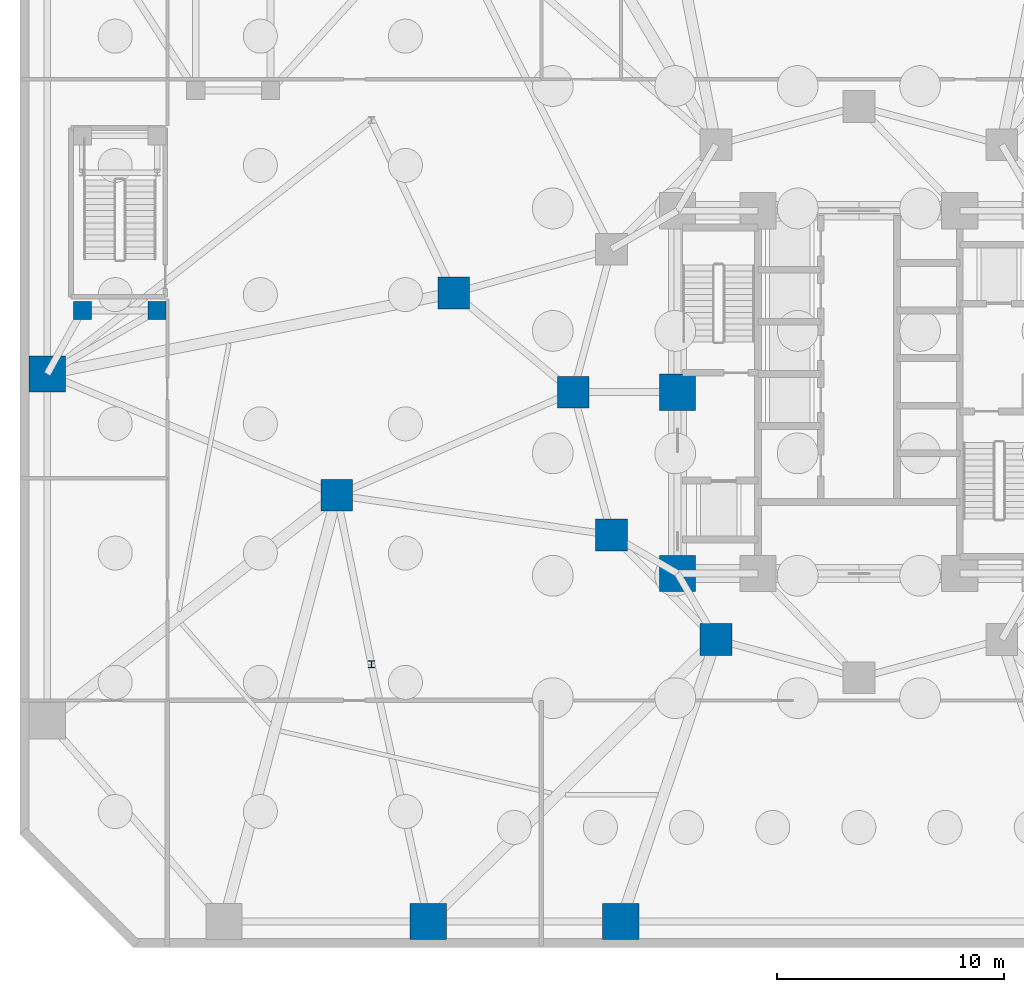
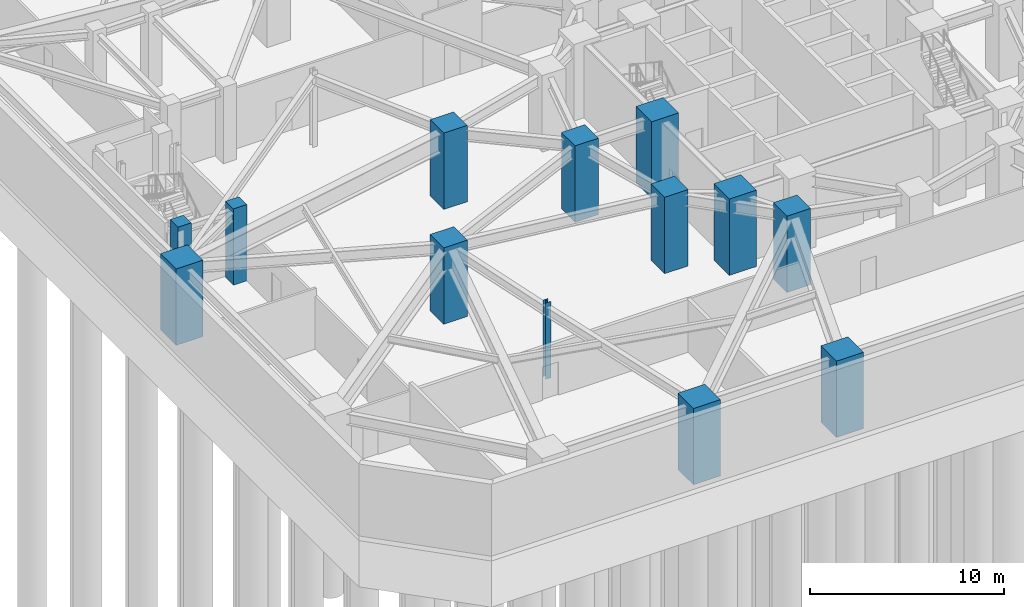
# One storey, part 2 of 20: 13 columns.
"""IFC4 building model written with IfcOpenShell, lengths in metres."""

import ifcopenshell
import ifcopenshell.guid

model = None  # the IFC model being written
_history = None  # IfcOwnerHistory: only IFC2X3 demands one
_inside = {}  # id of a spatial element -> (the spatial element, [elements in it])
_under = {}  # id of a project, library or spatial element -> (it, [spatial elements below it])
_declared = {}  # id of a project -> (the project, [libraries it declares])
_typed = {}  # id of a type object -> (the type object, [elements of that type])
_made_of = {}  # id of a material, layer set ... -> (it, [elements and type objects made of it])


def new_model(schema):
    """Start an empty IFC model of exactly this schema.

    Asked for "IFC4X3", IfcOpenShell would pick the latest addendum, in which some entities
    have other attributes; the version numbers below select the first issue.
    IFC2X3 requires an IfcOwnerHistory on every rooted entity: one is made here for all.
    """
    global model, _history
    if schema == "IFC4X3":
        model = ifcopenshell.file(schema_version=(4, 3, 0, 0))
    else:
        model = ifcopenshell.file(schema=schema)
    _inside.clear()
    _under.clear()
    _declared.clear()
    _typed.clear()
    _made_of.clear()
    _history = None
    if model.schema == "IFC2X3":
        org = make("IfcOrganization", Name="unknown")
        user = make(
            "IfcPersonAndOrganization",
            ThePerson=make("IfcPerson", FamilyName="unknown"),
            TheOrganization=org,
        )
        app = make(
            "IfcApplication",
            ApplicationDeveloper=org,
            Version="unknown",
            ApplicationFullName="unknown",
            ApplicationIdentifier="unknown",
        )
        _history = make(
            "IfcOwnerHistory",
            OwningUser=user,
            OwningApplication=app,
            ChangeAction="ADDED",
            CreationDate=0,
        )
    return model


def make(cls, **values):
    """One entity of the class cls with the attributes given. An attribute that is None is left unset."""
    return model.create_entity(
        cls, **{name: value for name, value in values.items() if value is not None}
    )


def rooted(cls, **values):
    """An entity with a GlobalId (a new one), such as an element, a storey or a relation."""
    return make(cls, GlobalId=ifcopenshell.guid.new(), OwnerHistory=_history, **values)


def si_unit(unit_type, name, prefix=None):
    """IfcSIUnit, for example si_unit("LENGTHUNIT", "METRE", prefix="MILLI")."""
    return make("IfcSIUnit", UnitType=unit_type, Prefix=prefix, Name=name)


def assignment(units):
    """IfcUnitAssignment: the units of a project."""
    return None if units is None else make("IfcUnitAssignment", Units=units)


def point(xyz):
    """IfcCartesianPoint."""
    return None if xyz is None else make("IfcCartesianPoint", Coordinates=xyz)


def direction(xyz):
    """IfcDirection."""
    return None if xyz is None else make("IfcDirection", DirectionRatios=xyz)


def frame(location, z_axis=None, x_axis=None):
    """IfcAxis2Placement3D, a coordinate frame: its origin and axes. An axis left out is left unset."""
    return make(
        "IfcAxis2Placement3D",
        Location=point(location),
        Axis=direction(z_axis),
        RefDirection=direction(x_axis),
    )


def frame_2d(location, x_axis=None):
    """IfcAxis2Placement2D, a coordinate frame in the plane: its origin and x axis."""
    return make(
        "IfcAxis2Placement2D", Location=point(location), RefDirection=direction(x_axis)
    )


def origin():
    """The frame at (0, 0, 0) with its axes left unset."""
    return frame((0.0, 0.0, 0.0))


def origin_2d():
    """The frame at (0, 0) in the plane with its x axis left unset."""
    return frame_2d((0.0, 0.0))


def place(relative_to, where):
    """IfcLocalPlacement: puts the frame where relative to a parent placement (None: the world)."""
    return make(
        "IfcLocalPlacement", PlacementRelTo=relative_to, RelativePlacement=where
    )


def context(
    kind, dimensions, precision=None, world=None, true_north=None, identifier=None
):
    """IfcGeometricRepresentationContext, for example the 3D "Model" context."""
    return make(
        "IfcGeometricRepresentationContext",
        ContextIdentifier=identifier,
        ContextType=kind,
        CoordinateSpaceDimension=dimensions,
        Precision=precision,
        WorldCoordinateSystem=world,
        TrueNorth=true_north,
    )


def subcontext(parent, identifier, kind, view, scale=None):
    """IfcGeometricRepresentationSubContext, for example "Body" below "Model"."""
    return make(
        "IfcGeometricRepresentationSubContext",
        ContextIdentifier=identifier,
        ContextType=kind,
        ParentContext=parent,
        TargetScale=scale,
        TargetView=view,
    )


def project(units=None, contexts=None):
    """IfcProject with its units and contexts."""
    return rooted(
        "IfcProject",
        Name="project",
        RepresentationContexts=contexts,
        UnitsInContext=assignment(units),
    )


def spatial(cls, under=None, at=None, **own):
    """A site, building, storey or space (cls), placed at a placement, below another one or the project."""
    s = rooted(cls, ObjectPlacement=at, **own)
    if under is not None:
        _under.setdefault(under.id(), (under, []))[1].append(s)
    return s


def profile(cls, at=None, kind="AREA", **sizes):
    """A parametric profile (cls). Its sizes go by their IFC names, for example OverallWidth=200.0."""
    return make(cls, ProfileType=kind, Position=at, **sizes)


def rectangle(**sizes):
    """IfcRectangleProfileDef."""
    return profile("IfcRectangleProfileDef", **sizes)


def i_section(**sizes):
    """IfcIShapeProfileDef."""
    return profile("IfcIShapeProfileDef", **sizes)


def extrude(swept, where, along, depth):
    """IfcExtrudedAreaSolid: the profile swept, set in the frame where, extruded along a direction by depth."""
    return make(
        "IfcExtrudedAreaSolid",
        SweptArea=swept,
        Position=where,
        ExtrudedDirection=direction(along),
        Depth=depth,
    )


def shape(context_of_items, identifier, shape_type, items):
    """IfcShapeRepresentation: the items that make up one representation, for example the "Body"."""
    return make(
        "IfcShapeRepresentation",
        ContextOfItems=context_of_items,
        RepresentationIdentifier=identifier,
        RepresentationType=shape_type,
        Items=items,
    )


def material(Name=None, Category=None):
    """IfcMaterial."""
    return make("IfcMaterial", Name=Name, Category=Category)


def material_profile(
    of_material, cross_section, Name=None, Category=None, Priority=None
):
    """IfcMaterialProfile: a cross section and its material."""
    return make(
        "IfcMaterialProfile",
        Name=Name,
        Material=of_material,
        Profile=cross_section,
        Priority=Priority,
        Category=Category,
    )


def profile_set(profiles, Name=None, composite=None):
    """IfcMaterialProfileSet."""
    return make(
        "IfcMaterialProfileSet",
        Name=Name,
        MaterialProfiles=profiles,
        CompositeProfile=composite,
    )


def made_of(thing, what):
    """Note that an element or type object is made of a material, layer set ...; save() writes the relation."""
    if what is not None:
        _made_of.setdefault(what.id(), (what, []))[1].append(thing)
    return thing


def type_object(cls, material=None, **own):
    """A type object (cls), such as IfcWallType, which elements share."""
    return made_of(rooted(cls, **own), material)


def element(
    cls,
    number,
    at=None,
    inside=None,
    cuts=None,
    type_object=None,
    material=None,
    context=None,
    identifier="Body",
    shape_type=None,
    held_by="IfcProductDefinitionShape",
    body=None,
    shapes=None,
    **own,
):
    """One element of the class cls, such as IfcWall. Its Tag is "e" and its number.

    at: its placement. inside: the storey or other place that contains it. cuts: it is an
    opening in that element (IfcRelVoidsElement). A single representation is given by context,
    identifier, shape_type and body (its items); several are given by shapes. held_by: the class
    of the entity that holds the representations. save() writes the other relations.
    """
    e = rooted(cls, Tag="e%d" % number, ObjectPlacement=at, **own)
    if body is not None:
        shapes = [shape(context, identifier, shape_type, body)]
    if shapes is not None:
        e.Representation = make(held_by, Representations=shapes)
    if inside is not None:
        _inside.setdefault(inside.id(), (inside, []))[1].append(e)
    if cuts is not None:
        rooted(
            "IfcRelVoidsElement", RelatingBuildingElement=cuts, RelatedOpeningElement=e
        )
    if type_object is not None:
        _typed.setdefault(type_object.id(), (type_object, []))[1].append(e)
    return made_of(e, material)


def aggregate(whole, parts):
    """IfcRelAggregates: a whole, such as a stair, and the parts it consists of."""
    return rooted("IfcRelAggregates", RelatingObject=whole, RelatedObjects=parts)


def save(model, path):
    """Write the relations noted so far, then the file.

    IfcRelAggregates (storeys below a building ...), IfcRelContainedInSpatialStructure (elements
    in a storey), IfcRelDefinesByType, IfcRelAssociatesMaterial and IfcRelDeclares: one each for
    every whole, place, type object, material and project.
    """
    for whole, parts in _under.values():
        aggregate(whole, parts)
    for where, things in _inside.values():
        rooted(
            "IfcRelContainedInSpatialStructure",
            RelatedElements=things,
            RelatingStructure=where,
        )
    for kind, things in _typed.values():
        rooted("IfcRelDefinesByType", RelatedObjects=things, RelatingType=kind)
    for what, things in _made_of.values():
        rooted("IfcRelAssociatesMaterial", RelatedObjects=things, RelatingMaterial=what)
    for by, libraries in _declared.values():
        rooted("IfcRelDeclares", RelatingContext=by, RelatedDefinitions=libraries)
    model.write(path)


model = new_model("IFC4")

# Units and contexts
model_context = context("Model", 3, precision=1e-05, world=origin(), true_north=direction((0.0, 1.0)))
body_context = subcontext(model_context, "Body", "Model", "MODEL_VIEW")
ifc_project = project(units=[si_unit("LENGTHUNIT", "METRE"), si_unit("AREAUNIT", "SQUARE_METRE"), si_unit("VOLUMEUNIT", "CUBIC_METRE"), si_unit("PLANEANGLEUNIT", "RADIAN"), si_unit("MASSUNIT", "GRAM", prefix="KILO")], contexts=[model_context])

# Site, building, storey
site_placement = place(None, origin())
site = spatial("IfcSite", under=ifc_project, at=site_placement, CompositionType="ELEMENT")
building_placement = place(site_placement, origin())
building = spatial("IfcBuilding", under=site, at=building_placement, Name="Terralouvre Media Tower", CompositionType="ELEMENT")
storey_placement = place(building_placement, frame((0.0, 0.0, -9.60009765625)))
storey = spatial("IfcBuildingStorey", under=building, at=storey_placement, Name="B02", CompositionType="ELEMENT", Elevation=-9.60009765625)

# Columns
ifc_material_1 = material(Name="Structural steel S355J2", Category="steel")
ifc_material_profile_1 = material_profile(ifc_material_1, i_section(OverallWidth=0.300048828125, OverallDepth=0.300048828125, WebThickness=0.010986328125, FlangeThickness=0.01904296875, at=origin_2d()), Name="HEB 300")
ifc_profile_set_1 = profile_set([ifc_material_profile_1], Name="Structural steel S355J2")
column_type_1 = type_object("IfcColumnType", Name="Basement Aisle Pilaster PL-HEB300 (HEB 300)", PredefinedType="PILASTER", material=ifc_profile_set_1)
column_placement = place(storey_placement, frame((-21.5, -12.0, 0.0), z_axis=(0.0, 0.0, 1.0), x_axis=(1.0, 0.0, 0.0)))
element("IfcColumn", 1, at=column_placement, inside=storey, type_object=column_type_1, Name="B02 Car-Park Aisle Pilaster A1", PredefinedType="PILASTER", context=body_context, shape_type="SweptSolid", body=[
    extrude(i_section(OverallWidth=0.300048828125, OverallDepth=0.300048828125, WebThickness=0.010986328125, FlangeThickness=0.01904296875, at=origin_2d()), origin(), (0.0, 0.0, 1.0), 4.800048828125),
])
ifc_material_2 = material(Name="Concrete C60/75", Category="concrete")
ifc_material_profile_2 = material_profile(ifc_material_2, rectangle(XDim=1.39990234375, YDim=1.39990234375, at=origin_2d()), Name="RC 1400x1400")
ifc_profile_set_2 = profile_set([ifc_material_profile_2], Name="Concrete C60/75")
column_type_2 = type_object("IfcColumnType", Name="Structural Column C-RC1400 (RC 1400x1400)", PredefinedType="COLUMN", material=ifc_profile_set_2)
for number, where, z_axis, x_axis, name in (
    (2, (-12.60009765625, 0.0, 0.0), (0.0, 0.0, 1.0), (1.0, 0.0, 0.0), "B02 Mega-Frame Column MC07"),
    (3, (-10.911865234375, -6.300048828125, 0.0), (0.0, 0.0, 1.0), (1.0, 0.0, 0.0), "B02 Mega-Frame Column MC08"),
    (4, (-6.300048828125, -10.911865234375, 0.0), (0.0, 0.0, 1.0), (1.0, 0.0, 0.0), "B02 Mega-Frame Column MC09"),
    (5, (-17.874755859375, 4.373291015625, 0.0), (0.0, 0.0, 1.0), (1.0, 0.0, 0.0), "B02 Podium Transfer Column PM23"),
    (6, (-23.02490234375, -4.546630859375, 0.0), (0.0, 0.0, 1.0), (1.0, 0.0, 0.0), "B02 Podium Transfer Column PM24"),
):
    element("IfcColumn", number, at=place(storey_placement, frame(where, z_axis=z_axis, x_axis=x_axis)), inside=storey, type_object=column_type_2, Name=name, PredefinedType="COLUMN", context=body_context, shape_type="SweptSolid", body=[
        extrude(rectangle(XDim=1.39990234375, YDim=1.39990234375, at=origin_2d()), origin(), (0.0, 0.0, 1.0), 4.800048828125),
    ])
ifc_material_3 = material(Name="Concrete C60/75", Category="concrete")
ifc_material_profile_3 = material_profile(ifc_material_3, rectangle(XDim=1.60009765625, YDim=1.60009765625, at=origin_2d()), Name="RC 1600x1600")
ifc_profile_set_3 = profile_set([ifc_material_profile_3], Name="Concrete C60/75")
column_type_3 = type_object("IfcColumnType", Name="Structural Column C-RC1600 (RC 1600x1600)", PredefinedType="COLUMN", material=ifc_profile_set_3)
for number, where, z_axis, x_axis, name in (
    (7, (-8.0, -8.0, 0.0), (0.0, 0.0, 1.0), (1.0, 0.0, 0.0), "B02 Core Pilaster Column CP1"),
    (8, (-8.0, 0.0, 0.0), (0.0, 0.0, 1.0), (1.0, 0.0, 0.0), "B02 Core Pilaster Column CP8"),
    (9, (-19.0, -23.35009765625, 0.0), (0.0, 0.0, 1.0), (1.0, 0.0, 0.0), "B02 Perimeter Mega-Column PM02"),
    (10, (-10.5, -23.35009765625, 0.0), (0.0, 0.0, 1.0), (1.0, 0.0, 0.0), "B02 Perimeter Mega-Column PM03"),
    (11, (-35.800048828125, 0.800048828125, 0.0), (0.0, 0.0, 1.0), (1.0, 0.0, 0.0), "B02 Perimeter Mega-Column PM17"),
):
    element("IfcColumn", number, at=place(storey_placement, frame(where, z_axis=z_axis, x_axis=x_axis)), inside=storey, type_object=column_type_3, Name=name, PredefinedType="COLUMN", context=body_context, shape_type="SweptSolid", body=[
        extrude(rectangle(XDim=1.60009765625, YDim=1.60009765625, at=origin_2d()), origin(), (0.0, 0.0, 1.0), 4.800048828125),
    ])
ifc_material_4 = material(Name="Concrete C50/60", Category="concrete")
ifc_material_profile_4 = material_profile(ifc_material_4, rectangle(XDim=0.800048828125, YDim=0.800048828125, at=origin_2d()), Name="RC 800x800")
ifc_profile_set_4 = profile_set([ifc_material_profile_4], Name="Concrete C50/60")
column_type_4 = type_object("IfcColumnType", Name="Structural Column C-RC800 (RC 800x800)", PredefinedType="COLUMN", material=ifc_profile_set_4)
for number, where, z_axis, x_axis, name in (
    (12, (-34.25, 3.60009765625, 0.0), (0.0, 0.0, 1.0), (1.0, 0.0, 0.0), "B02 Stair Pavilion Support Column ST3C1"),
    (13, (-30.949951171875, 3.60009765625, 0.0), (0.0, 0.0, 1.0), (1.0, 0.0, 0.0), "B02 Stair Pavilion Support Column ST3C2"),
):
    element("IfcColumn", number, at=place(storey_placement, frame(where, z_axis=z_axis, x_axis=x_axis)), inside=storey, type_object=column_type_4, Name=name, PredefinedType="COLUMN", context=body_context, shape_type="SweptSolid", body=[
        extrude(rectangle(XDim=0.800048828125, YDim=0.800048828125, at=origin_2d()), origin(), (0.0, 0.0, 1.0), 4.800048828125),
    ])

save(model, "model.ifc")
